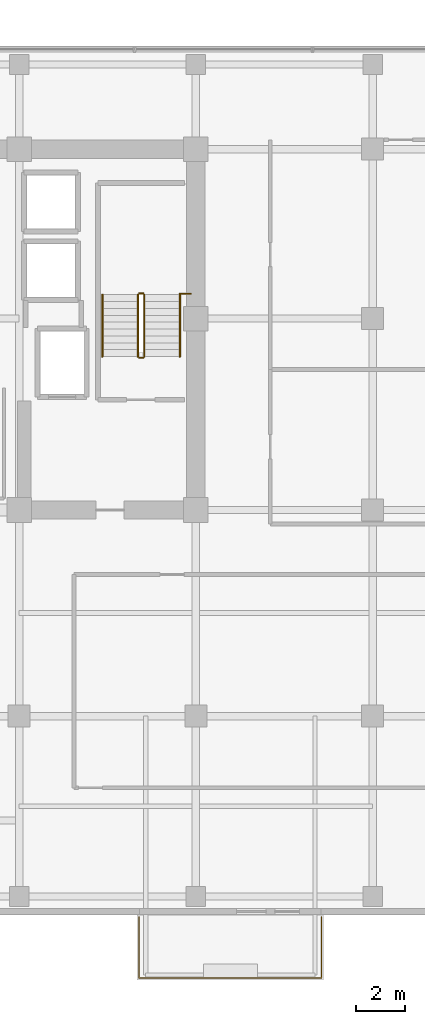
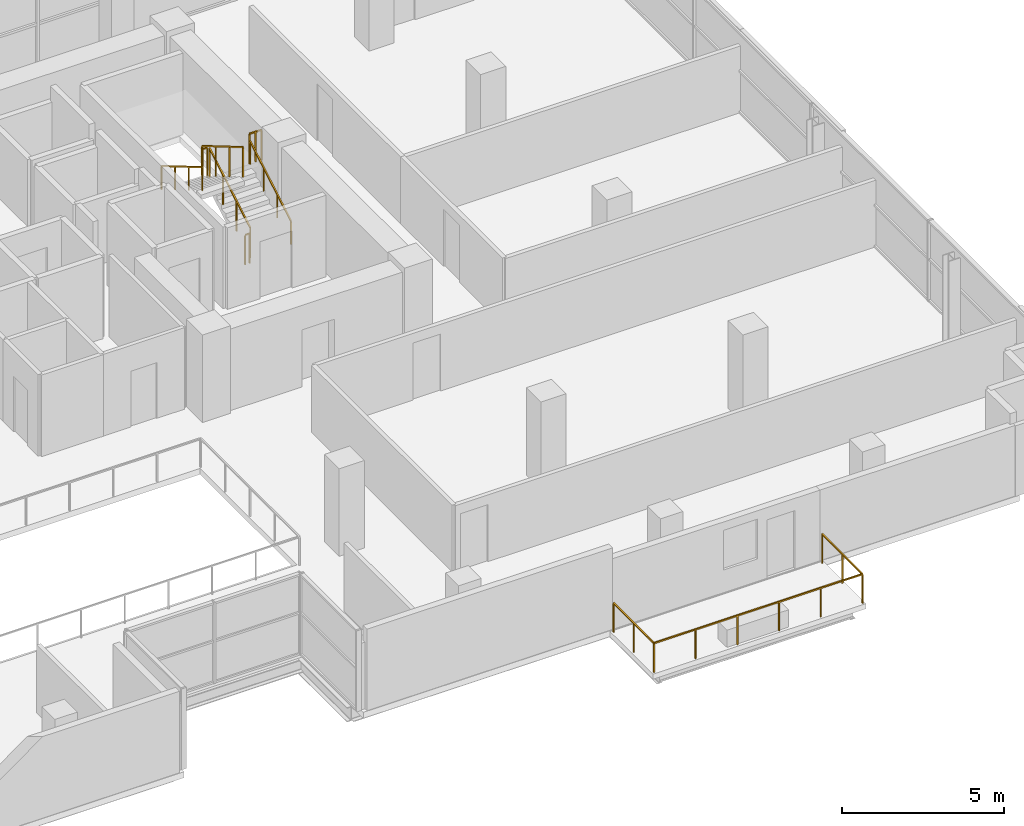
# One storey, part 21 of 23: 8 railings.
"""IFC4 building model written with IfcOpenShell, lengths in metres."""

from ifc_helpers import new_model, si_unit, direction, frame, origin, origin_2d, place, context, subcontext, project, spatial, rectangle, extrude, material, type_object, element, save


model = new_model("IFC4")

# Units and contexts
model_context = context("Model", 3, precision=1e-05, world=origin(), true_north=direction((0.0, 1.0)))
body_context = subcontext(model_context, "Body", "Model", "MODEL_VIEW")
ifc_project = project(units=[si_unit("LENGTHUNIT", "METRE"), si_unit("AREAUNIT", "SQUARE_METRE"), si_unit("VOLUMEUNIT", "CUBIC_METRE"), si_unit("PLANEANGLEUNIT", "RADIAN"), si_unit("MASSUNIT", "GRAM", prefix="KILO")], contexts=[model_context])

# Site, building, storey
site_placement = place(None, origin())
site = spatial("IfcSite", under=ifc_project, at=site_placement, CompositionType="ELEMENT")
building_placement = place(site_placement, origin())
building = spatial("IfcBuilding", under=site, at=building_placement, Name="Zarnakvel Exchange Tower", CompositionType="ELEMENT")
storey_placement = place(building_placement, frame((0.0, 0.0, 116.5)))
storey = spatial("IfcBuildingStorey", under=building, at=storey_placement, Name="L32", CompositionType="ELEMENT", Elevation=116.5)

# Railings
ifc_material_1 = material(Name="Architectural Bronze Anodised Aluminium", Category="aluminium")
railing_type_1 = type_object("IfcRailingType", Name="GR-02", PredefinedType="GUARDRAIL", material=ifc_material_1)
railing_1_placement = place(storey_placement, frame((12.080078125, -17.780029296875, -0.034912109375)))
element("IfcRailing", 1, at=railing_1_placement, inside=storey, type_object=railing_type_1, Name="L32 Balcony Guardrail BAL-L32-SE", PredefinedType="GUARDRAIL", context=body_context, shape_type="SweptSolid", body=[
    extrude(rectangle(XDim=0.048095703125, YDim=0.048095703125, at=origin_2d()), frame((0.0, 0.0, 1.09619140625), z_axis=(0.0, -1.0, 0.0), x_axis=(1.0, 0.0, 0.0)), (0.0, 0.0, 1.0), 2.489990234375),
    extrude(rectangle(XDim=0.048095703125, YDim=0.048095703125, at=origin_2d()), frame((0.0, -2.489990234375, 1.09619140625), z_axis=(1.0, 0.0, 0.0), x_axis=(0.0, 1.0, 0.0)), (0.0, 0.0, 1.0), 7.43994140625),
    extrude(rectangle(XDim=0.048095703125, YDim=0.048095703125, at=origin_2d()), frame((7.43994140625, -2.489990234375, 1.09619140625), z_axis=(0.0, 1.0, 0.0), x_axis=(-1.0, 0.0, 0.0)), (0.0, 0.0, 1.0), 2.489990234375),
    extrude(rectangle(XDim=0.0419921875, YDim=0.0419921875, at=origin_2d()), origin(), (0.0, 0.0, 1.0), 1.072021484375),
    extrude(rectangle(XDim=0.0419921875, YDim=0.0419921875, at=origin_2d()), frame((0.0, -1.2451171875, 0.0)), (0.0, 0.0, 1.0), 1.072021484375),
    extrude(rectangle(XDim=0.0419921875, YDim=0.0419921875, at=origin_2d()), frame((0.0, -2.489990234375, 0.0)), (0.0, 0.0, 1.0), 1.072021484375),
    extrude(rectangle(XDim=0.0419921875, YDim=0.0419921875, at=origin_2d()), frame((1.488037109375, -2.489990234375, 0.0)), (0.0, 0.0, 1.0), 1.072021484375),
    extrude(rectangle(XDim=0.0419921875, YDim=0.0419921875, at=origin_2d()), frame((2.97607421875, -2.489990234375, 0.0)), (0.0, 0.0, 1.0), 1.072021484375),
    extrude(rectangle(XDim=0.0419921875, YDim=0.0419921875, at=origin_2d()), frame((4.4638671875, -2.489990234375, 0.0)), (0.0, 0.0, 1.0), 1.072021484375),
    extrude(rectangle(XDim=0.0419921875, YDim=0.0419921875, at=origin_2d()), frame((5.951904296875, -2.489990234375, 0.0)), (0.0, 0.0, 1.0), 1.072021484375),
    extrude(rectangle(XDim=0.0419921875, YDim=0.0419921875, at=origin_2d()), frame((7.43994140625, -2.489990234375, 0.0)), (0.0, 0.0, 1.0), 1.072021484375),
    extrude(rectangle(XDim=0.0419921875, YDim=0.0419921875, at=origin_2d()), frame((7.43994140625, -1.2451171875, 0.0)), (0.0, 0.0, 1.0), 1.072021484375),
    extrude(rectangle(XDim=0.0419921875, YDim=0.0419921875, at=origin_2d()), frame((7.43994140625, 0.0, 0.0)), (0.0, 0.0, 1.0), 1.072021484375),
])
ifc_material_2 = material(Name="Brushed Stainless Steel", Category="steel")
railing_type_2 = type_object("IfcRailingType", Name="HR-01", PredefinedType="HANDRAIL", material=ifc_material_2)
railing_2_placement = place(storey_placement, frame((13.75, 5.050048828125, 0.1650390625)))
element("IfcRailing", 2, at=railing_2_placement, inside=storey, type_object=railing_type_2, Name="L32 ST-02 stair handrail 1", PredefinedType="HANDRAIL", context=body_context, shape_type="SweptSolid", body=[
    extrude(rectangle(XDim=0.048095703125, YDim=0.048095703125, at=origin_2d()), frame((0.0, 0.0, 0.8759765625), z_axis=(0.0, 0.861560626758, 0.507654692109), x_axis=(-1.0, 0.0, 0.0)), (0.0, 0.0, 1.0), 2.925048828125),
    extrude(rectangle(XDim=0.0419921875, YDim=0.0419921875, at=origin_2d()), origin(), (0.0, 0.0, 1.0), 0.851806640625),
    extrude(rectangle(XDim=0.0419921875, YDim=0.0419921875, at=origin_2d()), frame((0.0, 0.840087890625, 0.494873046875)), (0.0, 0.0, 1.0), 0.851806640625),
    extrude(rectangle(XDim=0.0419921875, YDim=0.0419921875, at=origin_2d()), frame((0.0, 1.679931640625, 0.989990234375)), (0.0, 0.0, 1.0), 0.851806640625),
    extrude(rectangle(XDim=0.0419921875, YDim=0.0419921875, at=origin_2d()), frame((0.0, 2.52001953125, 1.48486328125)), (0.0, 0.0, 1.0), 0.851806640625),
])
railing_3_placement = place(storey_placement, frame((10.590087890625, 7.570068359375, 1.81494140625)))
element("IfcRailing", 3, at=railing_3_placement, inside=storey, type_object=railing_type_2, Name="L32 ST-02 stair handrail 2", PredefinedType="HANDRAIL", context=body_context, shape_type="SweptSolid", body=[
    extrude(rectangle(XDim=0.048095703125, YDim=0.048095703125, at=origin_2d()), frame((0.0, 0.0, 0.8759765625), z_axis=(0.0, -0.86152411907, 0.507716645641), x_axis=(1.0, 0.0, 0.0)), (0.0, 0.0, 1.0), 2.925048828125),
    extrude(rectangle(XDim=0.0419921875, YDim=0.0419921875, at=origin_2d()), origin(), (0.0, 0.0, 1.0), 0.851806640625),
    extrude(rectangle(XDim=0.0419921875, YDim=0.0419921875, at=origin_2d()), frame((0.0, -0.840087890625, 0.4951171875)), (0.0, 0.0, 1.0), 0.851806640625),
    extrude(rectangle(XDim=0.0419921875, YDim=0.0419921875, at=origin_2d()), frame((0.0, -1.679931640625, 0.989990234375)), (0.0, 0.0, 1.0), 0.851806640625),
    extrude(rectangle(XDim=0.0419921875, YDim=0.0419921875, at=origin_2d()), frame((0.0, -2.52001953125, 1.485107421875)), (0.0, 0.0, 1.0), 0.851806640625),
])
railing_type_3 = type_object("IfcRailingType", Name="SG-01", PredefinedType="GUARDRAIL", material=ifc_material_1)
railing_4_placement = place(storey_placement, frame((12.300048828125, 5.050048828125, 0.1650390625)))
element("IfcRailing", 4, at=railing_4_placement, inside=storey, type_object=railing_type_3, Name="L32 ST-02 stair guard 1", PredefinedType="GUARDRAIL", context=body_context, shape_type="SweptSolid", body=[
    extrude(rectangle(XDim=0.048095703125, YDim=0.048095703125, at=origin_2d()), frame((0.0, 0.0, 1.1259765625), z_axis=(0.0, 0.861560626758, 0.507654692109), x_axis=(-1.0, 0.0, 0.0)), (0.0, 0.0, 1.0), 2.925048828125),
    extrude(rectangle(XDim=0.0419921875, YDim=0.0419921875, at=origin_2d()), origin(), (0.0, 0.0, 1.0), 1.101806640625),
    extrude(rectangle(XDim=0.0419921875, YDim=0.0419921875, at=origin_2d()), frame((0.0, 0.840087890625, 0.494873046875)), (0.0, 0.0, 1.0), 1.101806640625),
    extrude(rectangle(XDim=0.0419921875, YDim=0.0419921875, at=origin_2d()), frame((0.0, 1.679931640625, 0.989990234375)), (0.0, 0.0, 1.0), 1.101806640625),
    extrude(rectangle(XDim=0.0419921875, YDim=0.0419921875, at=origin_2d()), frame((0.0, 2.52001953125, 1.48486328125)), (0.0, 0.0, 1.0), 1.101806640625),
])
railing_5_placement = place(storey_placement, frame((12.25, 7.6201171875, 1.64990234375)))
element("IfcRailing", 5, at=railing_5_placement, inside=storey, type_object=railing_type_3, Name="L32 ST-02 stair guard 2", PredefinedType="GUARDRAIL", context=body_context, shape_type="SweptSolid", body=[
    extrude(rectangle(XDim=0.048095703125, YDim=0.048095703125, at=origin_2d()), frame((0.0, 0.0, 1.1259765625), z_axis=(-1.0, 0.0, 0.0), x_axis=(0.0, -1.0, 0.0)), (0.0, 0.0, 1.0), 0.159912109375),
    extrude(rectangle(XDim=0.0419921875, YDim=0.0419921875, at=origin_2d()), origin(), (0.0, 0.0, 1.0), 1.101806640625),
    extrude(rectangle(XDim=0.0419921875, YDim=0.0419921875, at=origin_2d()), frame((-0.159912109375, 0.0, 0.0)), (0.0, 0.0, 1.0), 1.101806640625),
])
railing_6_placement = place(storey_placement, frame((12.0400390625, 7.570068359375, 1.81494140625)))
element("IfcRailing", 6, at=railing_6_placement, inside=storey, type_object=railing_type_3, Name="L32 ST-02 stair guard 3", PredefinedType="GUARDRAIL", context=body_context, shape_type="SweptSolid", body=[
    extrude(rectangle(XDim=0.048095703125, YDim=0.048095703125, at=origin_2d()), frame((0.0, 0.0, 1.1259765625), z_axis=(0.0, -0.86152411907, 0.507716645641), x_axis=(1.0, 0.0, 0.0)), (0.0, 0.0, 1.0), 2.925048828125),
    extrude(rectangle(XDim=0.0419921875, YDim=0.0419921875, at=origin_2d()), origin(), (0.0, 0.0, 1.0), 1.101806640625),
    extrude(rectangle(XDim=0.0419921875, YDim=0.0419921875, at=origin_2d()), frame((0.0, -0.840087890625, 0.4951171875)), (0.0, 0.0, 1.0), 1.101806640625),
    extrude(rectangle(XDim=0.0419921875, YDim=0.0419921875, at=origin_2d()), frame((0.0, -1.679931640625, 0.989990234375)), (0.0, 0.0, 1.0), 1.101806640625),
    extrude(rectangle(XDim=0.0419921875, YDim=0.0419921875, at=origin_2d()), frame((0.0, -2.52001953125, 1.485107421875)), (0.0, 0.0, 1.0), 1.101806640625),
])
railing_7_placement = place(storey_placement, frame((12.25, 5.0, 0.0)))
element("IfcRailing", 7, at=railing_7_placement, inside=storey, type_object=railing_type_3, Name="L32 ST-02 stair guard 4", PredefinedType="GUARDRAIL", context=body_context, shape_type="SweptSolid", body=[
    extrude(rectangle(XDim=0.048095703125, YDim=0.048095703125, at=origin_2d()), frame((0.0, 0.0, 1.1259765625), z_axis=(-1.0, 0.0, 0.0), x_axis=(0.0, -1.0, 0.0)), (0.0, 0.0, 1.0), 0.159912109375),
    extrude(rectangle(XDim=0.0419921875, YDim=0.0419921875, at=origin_2d()), origin(), (0.0, 0.0, 1.0), 1.101806640625),
    extrude(rectangle(XDim=0.0419921875, YDim=0.0419921875, at=origin_2d()), frame((-0.159912109375, 0.0, 0.0)), (0.0, 0.0, 1.0), 1.101806640625),
])
railing_8_placement = place(storey_placement, frame((13.75, 7.610107421875, 1.64990234375)))
element("IfcRailing", 8, at=railing_8_placement, inside=storey, type_object=railing_type_3, Name="L32 ST-02 Landing Slot Guardrail", PredefinedType="GUARDRAIL", context=body_context, shape_type="SweptSolid", body=[
    extrude(rectangle(XDim=0.048095703125, YDim=0.048095703125, at=origin_2d()), frame((0.0, 0.0, 1.1259765625), z_axis=(1.0, 0.0, 0.0), x_axis=(0.0, 1.0, 0.0)), (0.0, 0.0, 1.0), 0.429931640625),
    extrude(rectangle(XDim=0.0419921875, YDim=0.0419921875, at=origin_2d()), origin(), (0.0, 0.0, 1.0), 1.101806640625),
    extrude(rectangle(XDim=0.0419921875, YDim=0.0419921875, at=origin_2d()), frame((0.21484375, 0.0, 0.0)), (0.0, 0.0, 1.0), 1.101806640625),
    extrude(rectangle(XDim=0.0419921875, YDim=0.0419921875, at=origin_2d()), frame((0.429931640625, 0.0, 0.0)), (0.0, 0.0, 1.0), 1.101806640625),
])

save(model, "model.ifc")
